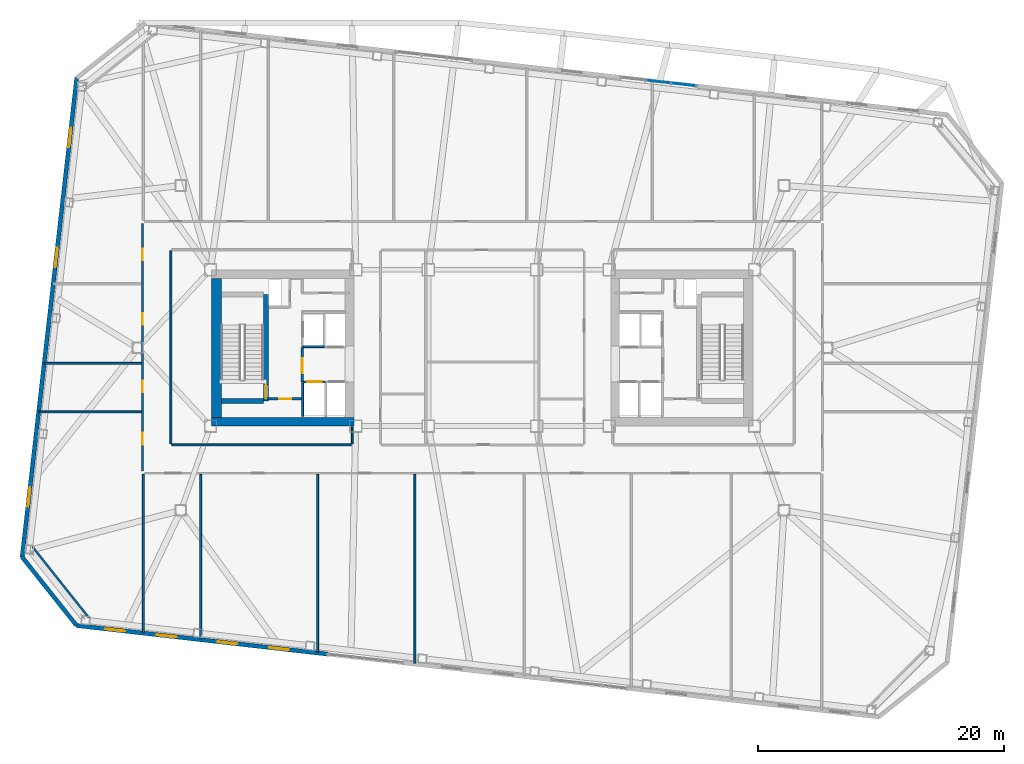
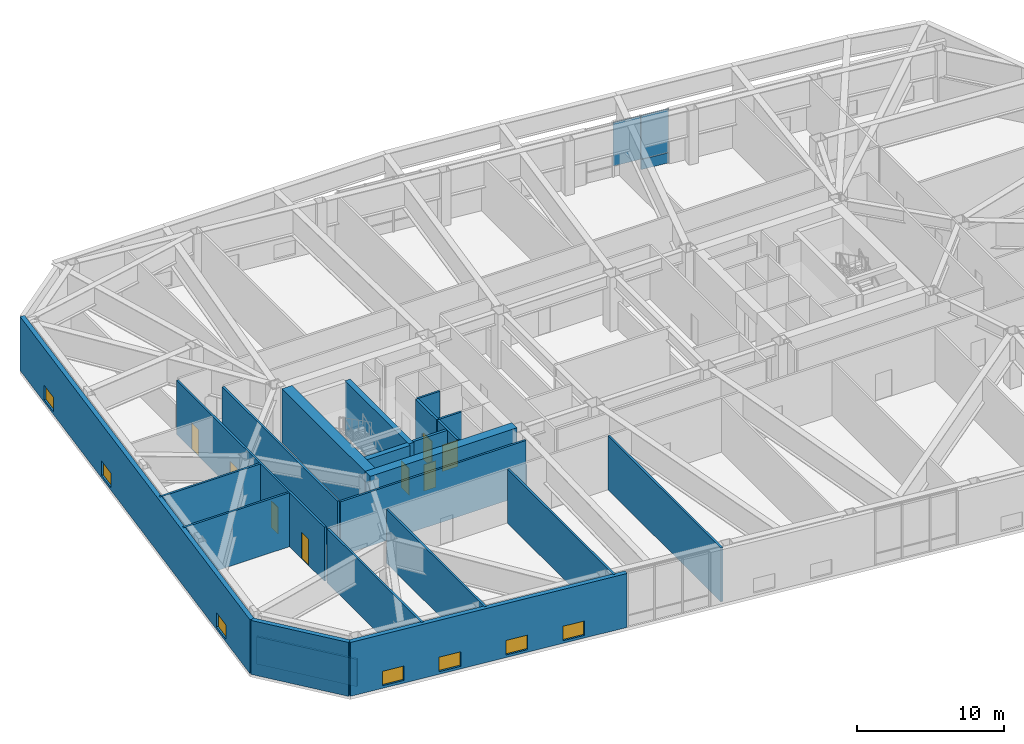
# One storey, part 10 of 19: 23 walls, 8 doors, 7 windows, 3 plates, 15 openings, 1 element without a shape of its own.
"""IFC4 building model written with IfcOpenShell, lengths in metres."""

from ifc_helpers import new_model, si_unit, direction, frame, frame_2d, origin, origin_2d, place, context, subcontext, project, spatial, rectangle, extrude, material, layer, layer_set, type_object, element, fill, aggregate, save


model = new_model("IFC4")

# Units and contexts
model_context = context("Model", 3, precision=1e-05, world=origin(), true_north=direction((0.0, 1.0)))
body_context = subcontext(model_context, "Body", "Model", "MODEL_VIEW")
ifc_project = project(units=[si_unit("LENGTHUNIT", "METRE"), si_unit("AREAUNIT", "SQUARE_METRE"), si_unit("VOLUMEUNIT", "CUBIC_METRE"), si_unit("PLANEANGLEUNIT", "RADIAN"), si_unit("MASSUNIT", "GRAM", prefix="KILO")], contexts=[model_context])

# Site, building, storey
site_placement = place(None, origin())
site = spatial("IfcSite", under=ifc_project, at=site_placement, CompositionType="ELEMENT")
building_placement = place(site_placement, origin())
building = spatial("IfcBuilding", under=site, at=building_placement, Name="Tavrogorsk Clinical Tower", CompositionType="ELEMENT")
storey_placement = place(building_placement, frame((0.0, 0.0, 141.39990234375)))
storey = spatial("IfcBuildingStorey", under=building, at=storey_placement, Name="L32", CompositionType="ELEMENT", Elevation=141.39990234375)

# Curtain wall, plates
ifc_material_1 = material(Name="Anodised aluminium and triple IGU glazing", Category="aluminium")
ifc_layer_1 = layer(ifc_material_1, 0.179931640625)
ifc_layer_set_1 = layer_set([ifc_layer_1], Name="Anodised aluminium and triple IGU glazing")
curtain_wall_type = type_object("IfcCurtainWallType", Name="CW5_SkyLobby", PredefinedType="NOTDEFINED", material=ifc_layer_set_1)
curtain_wall_placement = place(storey_placement, origin())
curtain_wall = element("IfcCurtainWall", 1, at=curtain_wall_placement, inside=storey, type_object=curtain_wall_type, Name="L32 Curtain Wall CW-L32-N-CW5-2", PredefinedType="NOTDEFINED")
ifc_material_2 = material(Name="Honed Podolsk limestone spandrel panel", Category="masonry")
ifc_layer_2 = layer(ifc_material_2, 0.080078125)
ifc_layer_set_2 = layer_set([ifc_layer_2], Name="Honed Podolsk limestone spandrel panel")
plate_type_1 = type_object("IfcPlateType", Name="CwSpandrelStonePanel_80", PredefinedType="CURTAIN_PANEL", material=ifc_layer_set_2)
plate_1_placement = place(storey_placement, frame((16.368408203125, 21.39794921875, 0.002197265625), z_axis=(0.0, 0.0, 1.0), x_axis=(-0.993571847378, 0.113203286601, 0.0)))
plate_1 = element("IfcPlate", 2, at=plate_1_placement, type_object=plate_type_1, Name="CW-L32-N-CW5-2 Stone Spandrel Panel 1", PredefinedType="CURTAIN_PANEL", context=body_context, shape_type="SweptSolid", body=[
    extrude(rectangle(XDim=2.057373046875, YDim=0.080078125, at=origin_2d()), origin(), (0.0, 0.0, 1.0), 0.8359375),
])
ifc_material_3 = material(Name="Triple low-E argon insulated glass", Category="glass")
ifc_layer_3 = layer(ifc_material_3, 0.048095703125)
ifc_layer_set_3 = layer_set([ifc_layer_3], Name="Triple low-E argon insulated glass")
plate_type_2 = type_object("IfcPlateType", Name="CwVisionGlassPanel_48", PredefinedType="CURTAIN_PANEL", material=ifc_layer_set_3)
plate_2_placement = place(storey_placement, frame((16.368408203125, 21.39794921875, 0.8623046875), z_axis=(0.0, 0.0, 1.0), x_axis=(-0.993571847378, 0.113203286601, 0.0)))
plate_2 = element("IfcPlate", 3, at=plate_2_placement, type_object=plate_type_2, Name="CW-L32-N-CW5-2 Glazing Panel 1", PredefinedType="CURTAIN_PANEL", context=body_context, shape_type="SweptSolid", body=[
    extrude(rectangle(XDim=2.057373046875, YDim=0.048095703125, at=origin_2d()), origin(), (0.0, 0.0, 1.0), 3.615966796875),
])
plate_3_placement = place(storey_placement, frame((14.306396484375, 21.6328125, 0.8623046875), z_axis=(0.0, 0.0, 1.0), x_axis=(-0.993571847378, 0.113203286601, 0.0)))
plate_3 = element("IfcPlate", 4, at=plate_3_placement, type_object=plate_type_2, Name="CW-L32-N-CW5-2 Glazing Panel 2", PredefinedType="CURTAIN_PANEL", context=body_context, shape_type="SweptSolid", body=[
    extrude(rectangle(XDim=2.04541015625, YDim=0.048095703125, at=origin_2d()), origin(), (0.0, 0.0, 1.0), 3.615966796875),
])
aggregate(curtain_wall, [plate_1, plate_2, plate_3])

# Wall, opening, door
ifc_material_4 = material(Name="Concrete B60", Category="concrete")
ifc_layer_4 = layer(ifc_material_4, 0.199951171875)
ifc_layer_set_4 = layer_set([ifc_layer_4], Name="Concrete B60")
wall_type_1 = type_object("IfcWallType", Name="CoreFireWall_200", PredefinedType="SOLIDWALL", material=ifc_layer_set_4)
wall_1_placement = place(storey_placement, frame((-17.3798828125, -4.139892578125, 0.0), z_axis=(0.0, 0.0, 1.0), x_axis=(1.0, 0.0, 0.0)))
wall_1 = element("IfcWall", 5, at=wall_1_placement, inside=storey, type_object=wall_type_1, Name="L32 Core West South Core Room Fire Wall", PredefinedType="SOLIDWALL", context=body_context, shape_type="SweptSolid", body=[
    extrude(rectangle(XDim=2.659912109375, YDim=0.199951171875, at=frame_2d((1.330078125, 0.0))), origin(), (0.0, 0.0, 1.0), 4.47998046875),
])
opening_1_placement = place(wall_1_placement, frame((0.8798828125, 0.0, 0.0)))
opening_1 = element("IfcOpeningElement", 6, at=opening_1_placement, cuts=wall_1, Name="Opening ID-02", PredefinedType="OPENING", context=body_context, shape_type="SweptSolid", body=[
    extrude(rectangle(XDim=0.949951171875, YDim=2.199951171875, at=frame_2d((0.47509765625, 1.10009765625))), frame((0.0, 0.10986328125, 0.0), z_axis=(0.0, -1.0, 0.0), x_axis=(1.0, 0.0, 0.0)), (0.0, 0.0, 1.0), 0.219970703125),
])
ifc_material_5 = material(Name="Laminated timber leaf on aluminium frame", Category="wood")
door_type_1 = type_object("IfcDoorType", Name="InteriorDoor_ID02_950", OperationType="NOTDEFINED", PredefinedType="DOOR", material=ifc_material_5)
door_1_placement = place(opening_1_placement, origin())
door_1 = element("IfcDoor", 7, at=door_1_placement, inside=storey, type_object=door_type_1, Name="L32 Core West South Core Room Door", OperationType="SINGLE_SWING_RIGHT", OverallHeight=2.199951171875, OverallWidth=0.949951171875, PredefinedType="DOOR", context=body_context, shape_type="SweptSolid", body=[
    extrude(rectangle(XDim=0.949951171875, YDim=2.199951171875, at=frame_2d((0.47509765625, 1.10009765625))), frame((0.0, 0.02490234375, 0.0), z_axis=(0.0, -1.0, 0.0), x_axis=(1.0, 0.0, 0.0)), (0.0, 0.0, 1.0), 0.050048828125),
])
fill(opening_1, door_1)

wall_2_placement = place(storey_placement, frame((-14.639892578125, -2.780029296875, 0.0), z_axis=(0.0, 0.0, 1.0), x_axis=(0.0, 1.0, 0.0)))
wall_2 = element("IfcWall", 8, at=wall_2_placement, inside=storey, type_object=wall_type_1, Name="L32 Core West Firefighting Lobby Fire Wall", PredefinedType="SOLIDWALL", context=body_context, shape_type="SweptSolid", body=[
    extrude(rectangle(XDim=2.820068359375, YDim=0.199951171875, at=frame_2d((1.41015625, 0.0))), origin(), (0.0, 0.0, 1.0), 4.47998046875),
])
opening_2_placement = place(wall_2_placement, frame((0.72998046875, 0.0, 0.0)))
opening_2 = element("IfcOpeningElement", 9, at=opening_2_placement, cuts=wall_2, Name="Opening FD-01", PredefinedType="OPENING", context=body_context, shape_type="SweptSolid", body=[
    extrude(rectangle(XDim=1.199951171875, YDim=2.199951171875, at=frame_2d((0.60009765625, 1.10009765625))), frame((0.0, 0.10986328125, 0.0), z_axis=(0.0, -1.0, 0.0), x_axis=(1.0, 0.0, 0.0)), (0.0, 0.0, 1.0), 0.219970703125),
])
ifc_material_6 = material(Name="Galvanised steel fire-rated door assembly", Category="steel")
door_type_2 = type_object("IfcDoorType", Name="FireDoor_FD01_1200", OperationType="NOTDEFINED", PredefinedType="DOOR", material=ifc_material_6)
door_2_placement = place(opening_2_placement, origin())
door_2 = element("IfcDoor", 10, at=door_2_placement, inside=storey, type_object=door_type_2, Name="L32 Core West Firefighting Lobby Entry Door", OperationType="SINGLE_SWING_RIGHT", OverallHeight=2.199951171875, OverallWidth=1.199951171875, PredefinedType="DOOR", context=body_context, shape_type="SweptSolid", body=[
    extrude(rectangle(XDim=1.199951171875, YDim=2.199951171875, at=frame_2d((0.60009765625, 1.10009765625))), frame((0.0, 0.02490234375, 0.0), z_axis=(0.0, -1.0, 0.0), x_axis=(1.0, 0.0, 0.0)), (0.0, 0.0, 1.0), 0.050048828125),
])
fill(opening_2, door_2)

# Wall
ifc_material_7 = material(Name="Lightweight concrete blockwork B15", Category="masonry")
ifc_layer_5 = layer(ifc_material_7, 0.159912109375)
ifc_layer_set_5 = layer_set([ifc_layer_5], Name="Lightweight concrete blockwork B15")
wall_type_2 = type_object("IfcWallType", Name="PartitionWall_160", PredefinedType="PARTITIONING", material=ifc_layer_set_5)
wall_3_placement = place(storey_placement, frame((-36.555908203125, -16.161865234375, 0.0), z_axis=(0.0, 0.0, 1.0), x_axis=(0.622522641622, -0.782601789334, 0.0)))
element("IfcWall", 11, at=wall_3_placement, inside=storey, type_object=wall_type_2, Name="L32 Corner Exoskeleton Brace Furring Wall 4", PredefinedType="PARTITIONING", context=body_context, shape_type="SweptSolid", body=[
    extrude(rectangle(XDim=7.354248046875, YDim=0.159912109375, at=frame_2d((3.67724609375, 0.0))), origin(), (0.0, 0.0, 1.0), 2.275146484375),
])

# Wall, openings, doors
wall_4_placement = place(storey_placement, frame((-27.6298828125, -10.014892578125, 0.0), z_axis=(0.0, 0.0, 1.0), x_axis=(0.0, 1.0, 0.0)))
wall_4 = element("IfcWall", 12, at=wall_4_placement, inside=storey, type_object=wall_type_2, Name="L32 Corridor Partition 01", PredefinedType="PARTITIONING", context=body_context, shape_type="SweptSolid", body=[
    extrude(rectangle(XDim=20.1298828125, YDim=0.159912109375, at=frame_2d((10.06494140625, 0.0))), origin(), (0.0, 0.0, 1.0), 4.47998046875),
])
opening_3_placement = place(wall_4_placement, frame((2.169189453125, 0.0, 0.0)))
opening_3 = element("IfcOpeningElement", 13, at=opening_3_placement, cuts=wall_4, Name="Opening ID-02", PredefinedType="OPENING", context=body_context, shape_type="SweptSolid", body=[
    extrude(rectangle(XDim=0.949951171875, YDim=2.199951171875, at=frame_2d((0.47509765625, 1.10009765625))), frame((0.0, 0.08984375, 0.0), z_axis=(0.0, -1.0, 0.0), x_axis=(1.0, 0.0, 0.0)), (0.0, 0.0, 1.0), 0.179931640625),
])
opening_4_placement = place(wall_4_placement, frame((6.39990234375, 0.0, 0.0)))
opening_4 = element("IfcOpeningElement", 14, at=opening_4_placement, cuts=wall_4, Name="Opening ID-02", PredefinedType="OPENING", context=body_context, shape_type="SweptSolid", body=[
    extrude(rectangle(XDim=0.949951171875, YDim=2.199951171875, at=frame_2d((0.47509765625, 1.10009765625))), frame((0.0, 0.08984375, 0.0), z_axis=(0.0, -1.0, 0.0), x_axis=(1.0, 0.0, 0.0)), (0.0, 0.0, 1.0), 0.179931640625),
])
opening_5_placement = place(wall_4_placement, frame((11.89990234375, 0.0, 0.0)))
opening_5 = element("IfcOpeningElement", 15, at=opening_5_placement, cuts=wall_4, Name="Opening ID-02", PredefinedType="OPENING", context=body_context, shape_type="SweptSolid", body=[
    extrude(rectangle(XDim=0.949951171875, YDim=2.199951171875, at=frame_2d((0.47509765625, 1.10009765625))), frame((0.0, 0.08984375, 0.0), z_axis=(0.0, -1.0, 0.0), x_axis=(1.0, 0.0, 0.0)), (0.0, 0.0, 1.0), 0.179931640625),
])
opening_6_placement = place(wall_4_placement, frame((17.130859375, 0.0, 0.0)))
opening_6 = element("IfcOpeningElement", 16, at=opening_6_placement, cuts=wall_4, Name="Opening ID-02", PredefinedType="OPENING", context=body_context, shape_type="SweptSolid", body=[
    extrude(rectangle(XDim=0.949951171875, YDim=2.199951171875, at=frame_2d((0.47509765625, 1.10009765625))), frame((0.0, 0.08984375, 0.0), z_axis=(0.0, -1.0, 0.0), x_axis=(1.0, 0.0, 0.0)), (0.0, 0.0, 1.0), 0.179931640625),
])
door_3_placement = place(opening_3_placement, origin())
door_3 = element("IfcDoor", 17, at=door_3_placement, inside=storey, type_object=door_type_1, Name="L32 W Solarium Day Room & Lounge 1 Door", OperationType="SINGLE_SWING_LEFT", OverallHeight=2.199951171875, OverallWidth=0.949951171875, PredefinedType="DOOR", context=body_context, shape_type="SweptSolid", body=[
    extrude(rectangle(XDim=0.949951171875, YDim=2.199951171875, at=frame_2d((0.47509765625, 1.10009765625))), frame((0.0, 0.02490234375, 0.0), z_axis=(0.0, -1.0, 0.0), x_axis=(1.0, 0.0, 0.0)), (0.0, 0.0, 1.0), 0.050048828125),
])
fill(opening_3, door_3)
door_4_placement = place(opening_4_placement, origin())
door_4 = element("IfcDoor", 18, at=door_4_placement, inside=storey, type_object=door_type_1, Name="L32 W Rehabilitation Therapy Suite 2 Door", OperationType="SINGLE_SWING_RIGHT", OverallHeight=2.199951171875, OverallWidth=0.949951171875, PredefinedType="DOOR", context=body_context, shape_type="SweptSolid", body=[
    extrude(rectangle(XDim=0.949951171875, YDim=2.199951171875, at=frame_2d((0.47509765625, 1.10009765625))), frame((0.0, 0.02490234375, 0.0), z_axis=(0.0, -1.0, 0.0), x_axis=(1.0, 0.0, 0.0)), (0.0, 0.0, 1.0), 0.050048828125),
])
fill(opening_4, door_4)
door_5_placement = place(opening_5_placement, origin())
door_5 = element("IfcDoor", 19, at=door_5_placement, inside=storey, type_object=door_type_1, Name="L32 W Sub-Acute Observation Suite 3 Door", OperationType="SINGLE_SWING_LEFT", OverallHeight=2.199951171875, OverallWidth=0.949951171875, PredefinedType="DOOR", context=body_context, shape_type="SweptSolid", body=[
    extrude(rectangle(XDim=0.949951171875, YDim=2.199951171875, at=frame_2d((0.47509765625, 1.10009765625))), frame((0.0, 0.02490234375, 0.0), z_axis=(0.0, -1.0, 0.0), x_axis=(1.0, 0.0, 0.0)), (0.0, 0.0, 1.0), 0.050048828125),
])
fill(opening_5, door_5)
door_6_placement = place(opening_6_placement, origin())
door_6 = element("IfcDoor", 20, at=door_6_placement, inside=storey, type_object=door_type_1, Name="L32 W Family Consultation Lounge 4 Door", OperationType="SINGLE_SWING_RIGHT", OverallHeight=2.199951171875, OverallWidth=0.949951171875, PredefinedType="DOOR", context=body_context, shape_type="SweptSolid", body=[
    extrude(rectangle(XDim=0.949951171875, YDim=2.199951171875, at=frame_2d((0.47509765625, 1.10009765625))), frame((0.0, 0.02490234375, 0.0), z_axis=(0.0, -1.0, 0.0), x_axis=(1.0, 0.0, 0.0)), (0.0, 0.0, 1.0), 0.050048828125),
])
fill(opening_6, door_6)

# Walls
wall_5_placement = place(storey_placement, frame((-10.580078125, -7.784912109375, 0.0), z_axis=(0.0, 0.0, 1.0), x_axis=(0.0, 1.0, 0.0)))
element("IfcWall", 21, at=wall_5_placement, inside=storey, type_object=wall_type_2, Name="L32 Corridor Partition 14", PredefinedType="PARTITIONING", context=body_context, shape_type="SweptSolid", body=[
    extrude(rectangle(XDim=1.364990234375, YDim=0.159912109375, at=frame_2d((0.6826171875, 0.0))), origin(), (0.0, 0.0, 1.0), 2.275146484375),
])
wall_6_placement = place(storey_placement, frame((-25.320068359375, 7.885009765625, 0.0), z_axis=(0.0, 0.0, 1.0), x_axis=(0.0, -1.0, 0.0)))
element("IfcWall", 22, at=wall_6_placement, inside=storey, type_object=wall_type_2, Name="L32 Corridor Partition 17", PredefinedType="PARTITIONING", context=body_context, shape_type="SweptSolid", body=[
    extrude(rectangle(XDim=15.669921875, YDim=0.159912109375, at=frame_2d((7.8349609375, 0.0))), origin(), (0.0, 0.0, 1.0), 4.47998046875),
])
wall_7_placement = place(storey_placement, frame((-25.235107421875, -7.8701171875, 0.0), z_axis=(0.0, 0.0, 1.0), x_axis=(1.0, 0.0, 0.0)))
element("IfcWall", 23, at=wall_7_placement, inside=storey, type_object=wall_type_2, Name="L32 Corridor Partition 18", PredefinedType="PARTITIONING", context=body_context, shape_type="SweptSolid", body=[
    extrude(rectangle(XDim=14.570068359375, YDim=0.159912109375, at=frame_2d((7.28515625, 0.0))), origin(), (0.0, 0.0, 1.0), 4.47998046875),
])
wall_8_placement = place(storey_placement, frame((-27.550048828125, -23.1064453125, 0.0), z_axis=(0.0, 0.0, 1.0), x_axis=(0.0, 1.0, 0.0)))
element("IfcWall", 24, at=wall_8_placement, inside=storey, type_object=wall_type_2, Name="L32 SW Wing Closure Partition", PredefinedType="PARTITIONING", context=body_context, shape_type="SweptSolid", body=[
    extrude(rectangle(XDim=12.841552734375, YDim=0.159912109375, at=frame_2d((6.4208984375, 0.0))), origin(), (0.0, 0.0, 1.0), 4.47998046875),
])
wall_9_placement = place(storey_placement, frame((-22.89990234375, -23.63623046875, 0.0), z_axis=(0.0, 0.0, 1.0), x_axis=(0.0, 1.0, 0.0)))
element("IfcWall", 25, at=wall_9_placement, inside=storey, type_object=wall_type_2, Name="L32 South Room Partition 1", PredefinedType="PARTITIONING", context=body_context, shape_type="SweptSolid", body=[
    extrude(rectangle(XDim=13.371337890625, YDim=0.159912109375, at=frame_2d((6.685546875, 0.0))), origin(), (0.0, 0.0, 1.0), 4.47998046875),
])
wall_10_placement = place(storey_placement, frame((-13.39990234375, -24.71875, 0.0), z_axis=(0.0, 0.0, 1.0), x_axis=(0.0, 1.0, 0.0)))
element("IfcWall", 26, at=wall_10_placement, inside=storey, type_object=wall_type_2, Name="L32 South Room Partition 2", PredefinedType="PARTITIONING", context=body_context, shape_type="SweptSolid", body=[
    extrude(rectangle(XDim=14.453857421875, YDim=0.159912109375, at=frame_2d((7.22705078125, 0.0))), origin(), (0.0, 0.0, 1.0), 4.47998046875),
])
wall_11_placement = place(storey_placement, frame((-5.5, -25.618896484375, 0.0), z_axis=(0.0, 0.0, 1.0), x_axis=(0.0, 1.0, 0.0)))
element("IfcWall", 27, at=wall_11_placement, inside=storey, type_object=wall_type_2, Name="L32 South Room Partition 3", PredefinedType="PARTITIONING", context=body_context, shape_type="SweptSolid", body=[
    extrude(rectangle(XDim=15.35400390625, YDim=0.159912109375, at=frame_2d((7.677001953125, 0.0))), origin(), (0.0, 0.0, 1.0), 4.47998046875),
])
wall_12_placement = place(storey_placement, frame((-36.0419921875, -5.199951171875, 0.0), z_axis=(0.0, 0.0, 1.0), x_axis=(1.0, 0.0, 0.0)))
element("IfcWall", 28, at=wall_12_placement, inside=storey, type_object=wall_type_2, Name="L32 W Wing Divider 1", PredefinedType="PARTITIONING", context=body_context, shape_type="SweptSolid", body=[
    extrude(rectangle(XDim=8.326904296875, YDim=0.159912109375, at=frame_2d((4.16357421875, 0.0))), origin(), (0.0, 0.0, 1.0), 4.47998046875),
])
wall_13_placement = place(storey_placement, frame((-35.592041015625, -1.25, 0.0), z_axis=(0.0, 0.0, 1.0), x_axis=(1.0, 0.0, 0.0)))
element("IfcWall", 29, at=wall_13_placement, inside=storey, type_object=wall_type_2, Name="L32 W Wing Divider 2", PredefinedType="PARTITIONING", context=body_context, shape_type="SweptSolid", body=[
    extrude(rectangle(XDim=7.876953125, YDim=0.159912109375, at=frame_2d((3.9384765625, 0.0))), origin(), (0.0, 0.0, 1.0), 4.47998046875),
])

# Wall, openings, windows
ifc_material_8 = material(Name="Precast concrete B45 with limestone cladding", Category="masonry")
ifc_layer_6 = layer(ifc_material_8, 0.340087890625)
ifc_layer_set_6 = layer_set([ifc_layer_6], Name="Precast concrete B45 with limestone cladding")
wall_type_3 = type_object("IfcWallType", Name="PrecastLimestoneWall_340", PredefinedType="STANDARD", material=ifc_layer_set_6)
wall_14_placement = place(storey_placement, frame((-32.977294921875, -22.55859375, 0.0), z_axis=(0.0, 0.0, 1.0), x_axis=(0.993571877006, -0.113203026563, 0.0)))
wall_14 = element("IfcWall", 30, at=wall_14_placement, inside=storey, type_object=wall_type_3, Name="L32 S Limestone Facade Wall 1", PredefinedType="STANDARD", context=body_context, shape_type="SweptSolid", body=[
    extrude(rectangle(XDim=20.522705078125, YDim=0.340087890625, at=frame_2d((10.26123046875, 0.0))), origin(), (0.0, 0.0, 1.0), 4.47998046875),
])
opening_7_placement = place(wall_14_placement, frame((2.35791015625, 0.0, 0.219970703125)))
opening_7 = element("IfcOpeningElement", 31, at=opening_7_placement, cuts=wall_14, Name="Opening WN-09", PredefinedType="OPENING", context=body_context, shape_type="SweptSolid", body=[
    extrude(rectangle(XDim=1.60009765625, YDim=1.199951171875, at=frame_2d((0.800048828125, 0.60009765625))), frame((0.0, 0.179931640625, 0.0), z_axis=(0.0, -1.0, 0.0), x_axis=(1.0, 0.0, 0.0)), (0.0, 0.0, 1.0), 0.360107421875),
])
opening_8_placement = place(wall_14_placement, frame((6.579345703125, 0.0, 0.219970703125)))
opening_8 = element("IfcOpeningElement", 32, at=opening_8_placement, cuts=wall_14, Name="Opening WN-09", PredefinedType="OPENING", context=body_context, shape_type="SweptSolid", body=[
    extrude(rectangle(XDim=1.60009765625, YDim=1.199951171875, at=frame_2d((0.800048828125, 0.60009765625))), frame((0.0, 0.179931640625, 0.0), z_axis=(0.0, -1.0, 0.0), x_axis=(1.0, 0.0, 0.0)), (0.0, 0.0, 1.0), 0.360107421875),
])
opening_9_placement = place(wall_14_placement, frame((11.534912109375, 0.0, 0.219970703125)))
opening_9 = element("IfcOpeningElement", 33, at=opening_9_placement, cuts=wall_14, Name="Opening WN-09", PredefinedType="OPENING", context=body_context, shape_type="SweptSolid", body=[
    extrude(rectangle(XDim=1.60009765625, YDim=1.199951171875, at=frame_2d((0.800048828125, 0.60009765625))), frame((0.0, 0.179931640625, 0.0), z_axis=(0.0, -1.0, 0.0), x_axis=(1.0, 0.0, 0.0)), (0.0, 0.0, 1.0), 0.360107421875),
])
opening_10_placement = place(wall_14_placement, frame((15.75634765625, 0.0, 0.219970703125)))
opening_10 = element("IfcOpeningElement", 34, at=opening_10_placement, cuts=wall_14, Name="Opening WN-09", PredefinedType="OPENING", context=body_context, shape_type="SweptSolid", body=[
    extrude(rectangle(XDim=1.60009765625, YDim=1.199951171875, at=frame_2d((0.800048828125, 0.60009765625))), frame((0.0, 0.179931640625, 0.0), z_axis=(0.0, -1.0, 0.0), x_axis=(1.0, 0.0, 0.0)), (0.0, 0.0, 1.0), 0.360107421875),
])
ifc_material_9 = material(Name="Thermally broken aluminium frame and triple IGU", Category="aluminium")
window_type = type_object("IfcWindowType", Name="LowHeadTransWin_1600x1200", PartitioningType="DOUBLE_PANEL_VERTICAL", PredefinedType="WINDOW", material=ifc_material_9)
window_1_placement = place(opening_7_placement, origin())
window_1 = element("IfcWindow", 35, at=window_1_placement, inside=storey, type_object=window_type, Name="L32 S Chicago Window 01", OverallHeight=1.199951171875, OverallWidth=1.60009765625, PartitioningType="SINGLE_PANEL", PredefinedType="WINDOW", context=body_context, shape_type="SweptSolid", body=[
    extrude(rectangle(XDim=1.60009765625, YDim=1.199951171875, at=frame_2d((0.800048828125, 0.60009765625))), frame((0.0, 0.030029296875, 0.0), z_axis=(0.0, -1.0, 0.0), x_axis=(1.0, 0.0, 0.0)), (0.0, 0.0, 1.0), 0.06005859375),
])
fill(opening_7, window_1)
window_2_placement = place(opening_8_placement, origin())
window_2 = element("IfcWindow", 36, at=window_2_placement, inside=storey, type_object=window_type, Name="L32 S Chicago Window 02", OverallHeight=1.199951171875, OverallWidth=1.60009765625, PartitioningType="SINGLE_PANEL", PredefinedType="WINDOW", context=body_context, shape_type="SweptSolid", body=[
    extrude(rectangle(XDim=1.60009765625, YDim=1.199951171875, at=frame_2d((0.800048828125, 0.60009765625))), frame((0.0, 0.030029296875, 0.0), z_axis=(0.0, -1.0, 0.0), x_axis=(1.0, 0.0, 0.0)), (0.0, 0.0, 1.0), 0.06005859375),
])
fill(opening_8, window_2)
window_3_placement = place(opening_9_placement, origin())
window_3 = element("IfcWindow", 37, at=window_3_placement, inside=storey, type_object=window_type, Name="L32 S Chicago Window 03", OverallHeight=1.199951171875, OverallWidth=1.60009765625, PartitioningType="SINGLE_PANEL", PredefinedType="WINDOW", context=body_context, shape_type="SweptSolid", body=[
    extrude(rectangle(XDim=1.60009765625, YDim=1.199951171875, at=frame_2d((0.800048828125, 0.60009765625))), frame((0.0, 0.030029296875, 0.0), z_axis=(0.0, -1.0, 0.0), x_axis=(1.0, 0.0, 0.0)), (0.0, 0.0, 1.0), 0.06005859375),
])
fill(opening_9, window_3)
window_4_placement = place(opening_10_placement, origin())
window_4 = element("IfcWindow", 38, at=window_4_placement, inside=storey, type_object=window_type, Name="L32 S Chicago Window 04", OverallHeight=1.199951171875, OverallWidth=1.60009765625, PartitioningType="SINGLE_PANEL", PredefinedType="WINDOW", context=body_context, shape_type="SweptSolid", body=[
    extrude(rectangle(XDim=1.60009765625, YDim=1.199951171875, at=frame_2d((0.800048828125, 0.60009765625))), frame((0.0, 0.030029296875, 0.0), z_axis=(0.0, -1.0, 0.0), x_axis=(1.0, 0.0, 0.0)), (0.0, 0.0, 1.0), 0.06005859375),
])
fill(opening_10, window_4)

wall_15_placement = place(storey_placement, frame((-32.968017578125, 21.95654296875, 0.0), z_axis=(0.0, 0.0, 1.0), x_axis=(-0.113201605824, -0.993572038877, 0.0)))
wall_15 = element("IfcWall", 39, at=wall_15_placement, inside=storey, type_object=wall_type_3, Name="L32 W Pleated Limestone Wing Wall", PredefinedType="STANDARD", context=body_context, shape_type="SweptSolid", body=[
    extrude(rectangle(XDim=39.199951171875, YDim=0.340087890625, at=frame_2d((19.60009765625, 0.0))), origin(), (0.0, 0.0, 1.0), 4.47998046875),
])
opening_11_placement = place(wall_15_placement, frame((4.10009765625, 0.0, 0.219970703125)))
opening_11 = element("IfcOpeningElement", 40, at=opening_11_placement, cuts=wall_15, Name="Opening WN-09", PredefinedType="OPENING", context=body_context, shape_type="SweptSolid", body=[
    extrude(rectangle(XDim=1.60009765625, YDim=1.199951171875, at=frame_2d((0.800048828125, 0.60009765625))), frame((0.0, 0.179931640625, 0.0), z_axis=(0.0, -1.0, 0.0), x_axis=(1.0, 0.0, 0.0)), (0.0, 0.0, 1.0), 0.360107421875),
])
opening_12_placement = place(wall_15_placement, frame((13.89990234375, 0.0, 0.219970703125)))
opening_12 = element("IfcOpeningElement", 41, at=opening_12_placement, cuts=wall_15, Name="Opening WN-09", PredefinedType="OPENING", context=body_context, shape_type="SweptSolid", body=[
    extrude(rectangle(XDim=1.60009765625, YDim=1.199951171875, at=frame_2d((0.800048828125, 0.60009765625))), frame((0.0, 0.179931640625, 0.0), z_axis=(0.0, -1.0, 0.0), x_axis=(1.0, 0.0, 0.0)), (0.0, 0.0, 1.0), 0.360107421875),
])
opening_13_placement = place(wall_15_placement, frame((33.5, 0.0, 0.219970703125)))
opening_13 = element("IfcOpeningElement", 42, at=opening_13_placement, cuts=wall_15, Name="Opening WN-09", PredefinedType="OPENING", context=body_context, shape_type="SweptSolid", body=[
    extrude(rectangle(XDim=1.60009765625, YDim=1.199951171875, at=frame_2d((0.800048828125, 0.60009765625))), frame((0.0, 0.179931640625, 0.0), z_axis=(0.0, -1.0, 0.0), x_axis=(1.0, 0.0, 0.0)), (0.0, 0.0, 1.0), 0.360107421875),
])
window_5_placement = place(opening_11_placement, origin())
window_5 = element("IfcWindow", 43, at=window_5_placement, inside=storey, type_object=window_type, Name="L32 W Pleat Slot Window 1", OverallHeight=1.199951171875, OverallWidth=1.60009765625, PartitioningType="SINGLE_PANEL", PredefinedType="WINDOW", context=body_context, shape_type="SweptSolid", body=[
    extrude(rectangle(XDim=1.60009765625, YDim=1.199951171875, at=frame_2d((0.800048828125, 0.60009765625))), frame((0.0, 0.030029296875, 0.0), z_axis=(0.0, -1.0, 0.0), x_axis=(1.0, 0.0, 0.0)), (0.0, 0.0, 1.0), 0.06005859375),
])
fill(opening_11, window_5)
window_6_placement = place(opening_12_placement, origin())
window_6 = element("IfcWindow", 44, at=window_6_placement, inside=storey, type_object=window_type, Name="L32 W Pleat Slot Window 2", OverallHeight=1.199951171875, OverallWidth=1.60009765625, PartitioningType="SINGLE_PANEL", PredefinedType="WINDOW", context=body_context, shape_type="SweptSolid", body=[
    extrude(rectangle(XDim=1.60009765625, YDim=1.199951171875, at=frame_2d((0.800048828125, 0.60009765625))), frame((0.0, 0.030029296875, 0.0), z_axis=(0.0, -1.0, 0.0), x_axis=(1.0, 0.0, 0.0)), (0.0, 0.0, 1.0), 0.06005859375),
])
fill(opening_12, window_6)
window_7_placement = place(opening_13_placement, origin())
window_7 = element("IfcWindow", 45, at=window_7_placement, inside=storey, type_object=window_type, Name="L32 W Pleat Slot Window 4", OverallHeight=1.199951171875, OverallWidth=1.60009765625, PartitioningType="SINGLE_PANEL", PredefinedType="WINDOW", context=body_context, shape_type="SweptSolid", body=[
    extrude(rectangle(XDim=1.60009765625, YDim=1.199951171875, at=frame_2d((0.800048828125, 0.60009765625))), frame((0.0, 0.030029296875, 0.0), z_axis=(0.0, -1.0, 0.0), x_axis=(1.0, 0.0, 0.0)), (0.0, 0.0, 1.0), 0.06005859375),
])
fill(opening_13, window_7)

# Walls
wall_16_placement = place(storey_placement, frame((-37.405517578125, -16.991455078125, 0.0), z_axis=(0.0, 0.0, 1.0), x_axis=(0.622507800567, -0.78261359446, 0.0)))
element("IfcWall", 46, at=wall_16_placement, inside=storey, type_object=wall_type_3, Name="L32 Chamfered Corner Wall 4", PredefinedType="STANDARD", context=body_context, shape_type="SweptSolid", body=[
    extrude(rectangle(XDim=7.113525390625, YDim=0.340087890625, at=frame_2d((3.556640625, 0.0))), origin(), (0.0, 0.0, 1.0), 4.47998046875),
])
ifc_material_10 = material(Name="Lightweight concrete blockwork B25", Category="masonry")
ifc_layer_7 = layer(ifc_material_10, 0.159912109375)
ifc_layer_set_7 = layer_set([ifc_layer_7], Name="Lightweight concrete blockwork B25")
wall_type_4 = type_object("IfcWallType", Name="ShaftWall_160", PredefinedType="PARTITIONING", material=ifc_layer_set_7)
wall_17_placement = place(storey_placement, frame((-14.60009765625, 0.10009765625, 0.0), z_axis=(0.0, 0.0, 1.0), x_axis=(1.0, 0.0, 0.0)))
element("IfcWall", 47, at=wall_17_placement, inside=storey, type_object=wall_type_4, Name="L32 FFL-W Shaft South Wall", PredefinedType="PARTITIONING", context=body_context, shape_type="SweptSolid", body=[
    extrude(rectangle(XDim=1.760009765625, YDim=0.159912109375, at=frame_2d((0.8798828125, 0.0))), origin(), (0.0, 0.0, 1.0), 4.47998046875),
])

# Wall, opening, door
wall_18_placement = place(storey_placement, frame((-14.530029296875, -2.75, 0.0), z_axis=(0.0, 0.0, 1.0), x_axis=(1.0, 0.0, 0.0)))
wall_18 = element("IfcWall", 48, at=wall_18_placement, inside=storey, type_object=wall_type_4, Name="L32 LP-L1 Lift Shaft Portal Wall", PredefinedType="PARTITIONING", context=body_context, shape_type="SweptSolid", body=[
    extrude(rectangle(XDim=1.760009765625, YDim=0.159912109375, at=frame_2d((0.8798828125, 0.0))), origin(), (0.0, 0.0, 1.0), 4.47998046875),
])
opening_14_placement = place(wall_18_placement, frame((0.280029296875, 0.0, 0.0)))
opening_14 = element("IfcOpeningElement", 49, at=opening_14_placement, cuts=wall_18, Name="Opening LD", PredefinedType="OPENING", context=body_context, shape_type="SweptSolid", body=[
    extrude(rectangle(XDim=1.199951171875, YDim=2.199951171875, at=frame_2d((0.60009765625, 1.10009765625))), frame((0.0, 0.08984375, 0.0), z_axis=(0.0, -1.0, 0.0), x_axis=(1.0, 0.0, 0.0)), (0.0, 0.0, 1.0), 0.179931640625),
])
ifc_material_11 = material(Name="Brushed stainless steel AISI 304 sliding doors", Category="steel")
door_type_3 = type_object("IfcDoorType", Name="LiftLandingDoor_LD_1200", OperationType="SLIDING_TO_LEFT", PredefinedType="DOOR", material=ifc_material_11)
door_7_placement = place(opening_14_placement, origin())
door_7 = element("IfcDoor", 50, at=door_7_placement, inside=storey, type_object=door_type_3, Name="L32 LP-L1 Sliding Lift Landing Door", OperationType="SLIDING_TO_LEFT", OverallHeight=2.199951171875, OverallWidth=1.199951171875, PredefinedType="DOOR", context=body_context, shape_type="SweptSolid", body=[
    extrude(rectangle(XDim=1.199951171875, YDim=2.199951171875, at=frame_2d((0.60009765625, 1.10009765625))), frame((0.0, 0.02490234375, 0.0), z_axis=(0.0, -1.0, 0.0), x_axis=(1.0, 0.0, 0.0)), (0.0, 0.0, 1.0), 0.050048828125),
])
fill(opening_14, door_7)

# Wall
wall_19_placement = place(storey_placement, frame((-14.610107421875, -5.5400390625, 0.0), z_axis=(0.0, 0.0, 1.0), x_axis=(0.0, 1.0, 0.0)))
element("IfcWall", 51, at=wall_19_placement, inside=storey, type_object=wall_type_4, Name="L32 LP-L1 Lift Hoistway Outer Cheek Wall", PredefinedType="PARTITIONING", context=body_context, shape_type="SweptSolid", body=[
    extrude(rectangle(XDim=2.699951171875, YDim=0.159912109375, at=frame_2d((1.35009765625, 0.0))), origin(), (0.0, 0.0, 1.0), 4.47998046875),
])

# Wall, opening, door
ifc_material_12 = material(Name="Concrete B80", Category="concrete")
ifc_layer_8 = layer(ifc_material_12, 0.39990234375)
ifc_layer_set_8 = layer_set([ifc_layer_8], Name="Concrete B80")
wall_type_5 = type_object("IfcWallType", Name="ShearWall_400", PredefinedType="SHEAR", material=ifc_layer_set_8)
wall_20_placement = place(storey_placement, frame((-17.60009765625, -4.324951171875, 0.0), z_axis=(0.0, 0.0, 1.0), x_axis=(0.0, 1.0, 0.0)))
wall_20 = element("IfcWall", 52, at=wall_20_placement, inside=storey, type_object=wall_type_5, Name="L32 Core West Stair Shaft Inner Shear Wall", PredefinedType="SHEAR", context=body_context, shape_type="SweptSolid", body=[
    extrude(rectangle(XDim=8.64990234375, YDim=0.39990234375, at=frame_2d((4.324951171875, 0.0))), origin(), (0.0, 0.0, 1.0), 4.47998046875),
])
opening_15_placement = place(wall_20_placement, frame((0.25, 0.0, 0.0)))
opening_15 = element("IfcOpeningElement", 53, at=opening_15_placement, cuts=wall_20, Name="Opening SD-01", PredefinedType="OPENING", context=body_context, shape_type="SweptSolid", body=[
    extrude(rectangle(XDim=1.10009765625, YDim=2.199951171875, at=frame_2d((0.550048828125, 1.10009765625))), frame((0.0, 0.2099609375, 0.0), z_axis=(0.0, -1.0, 0.0), x_axis=(1.0, 0.0, 0.0)), (0.0, 0.0, 1.0), 0.419921875),
])
ifc_material_13 = material(Name="Galvanised steel smoke-tight fire door assembly", Category="steel")
door_type_4 = type_object("IfcDoorType", Name="StairFireDoor_SD01_1100", OperationType="NOTDEFINED", PredefinedType="DOOR", material=ifc_material_13)
door_8_placement = place(opening_15_placement, origin())
door_8 = element("IfcDoor", 54, at=door_8_placement, inside=storey, type_object=door_type_4, Name="L32 ST-W Exit Stair Door", OperationType="SINGLE_SWING_LEFT", OverallHeight=2.199951171875, OverallWidth=1.10009765625, PredefinedType="DOOR", context=body_context, shape_type="SweptSolid", body=[
    extrude(rectangle(XDim=1.10009765625, YDim=2.199951171875, at=frame_2d((0.550048828125, 1.10009765625))), frame((0.0, 0.02490234375, 0.0), z_axis=(0.0, -1.0, 0.0), x_axis=(1.0, 0.0, 0.0)), (0.0, 0.0, 1.0), 0.050048828125),
])
fill(opening_15, door_8)

# Walls
wall_21_placement = place(storey_placement, frame((-21.199951171875, -4.324951171875, 0.0), z_axis=(0.0, 0.0, 1.0), x_axis=(1.0, 0.0, 0.0)))
element("IfcWall", 55, at=wall_21_placement, inside=storey, type_object=wall_type_5, Name="L32 Core West Stair Shaft South Shear Wall", PredefinedType="SHEAR", context=body_context, shape_type="SweptSolid", body=[
    extrude(rectangle(XDim=3.39990234375, YDim=0.39990234375, at=frame_2d((1.699951171875, 0.0))), origin(), (0.0, 0.0, 1.0), 4.47998046875),
])
ifc_material_14 = material(Name="Concrete B80", Category="concrete")
ifc_layer_9 = layer(ifc_material_14, 0.699951171875)
ifc_layer_set_9 = layer_set([ifc_layer_9], Name="Concrete B80")
wall_type_6 = type_object("IfcWallType", Name="ShearWall_700", PredefinedType="SHEAR", material=ifc_layer_set_9)
wall_22_placement = place(storey_placement, frame((-22.0, -6.0, 0.0), z_axis=(0.0, 0.0, 1.0), x_axis=(1.0, 0.0, 0.0)))
element("IfcWall", 56, at=wall_22_placement, inside=storey, type_object=wall_type_6, Name="L32 Core West South Shear Wall", PredefinedType="SHEAR", context=body_context, shape_type="SweptSolid", body=[
    extrude(rectangle(XDim=11.550048828125, YDim=0.699951171875, at=frame_2d((5.77490234375, 0.0))), origin(), (0.0, 0.0, 1.0), 4.47998046875),
])
ifc_material_15 = material(Name="Concrete B80", Category="concrete")
ifc_layer_10 = layer(ifc_material_15, 0.800048828125)
ifc_layer_set_10 = layer_set([ifc_layer_10], Name="Concrete B80")
wall_type_7 = type_object("IfcWallType", Name="ShearWall_800", PredefinedType="SHEAR", material=ifc_layer_set_10)
wall_23_placement = place(storey_placement, frame((-21.60009765625, -5.64990234375, 0.0), z_axis=(0.0, 0.0, 1.0), x_axis=(0.0, 1.0, 0.0)))
element("IfcWall", 57, at=wall_23_placement, inside=storey, type_object=wall_type_7, Name="L32 Core West End Shear Wall", PredefinedType="SHEAR", context=body_context, shape_type="SweptSolid", body=[
    extrude(rectangle(XDim=11.2998046875, YDim=0.800048828125, at=frame_2d((5.64990234375, 0.0))), origin(), (0.0, 0.0, 1.0), 4.47998046875),
])

save(model, "model.ifc")
